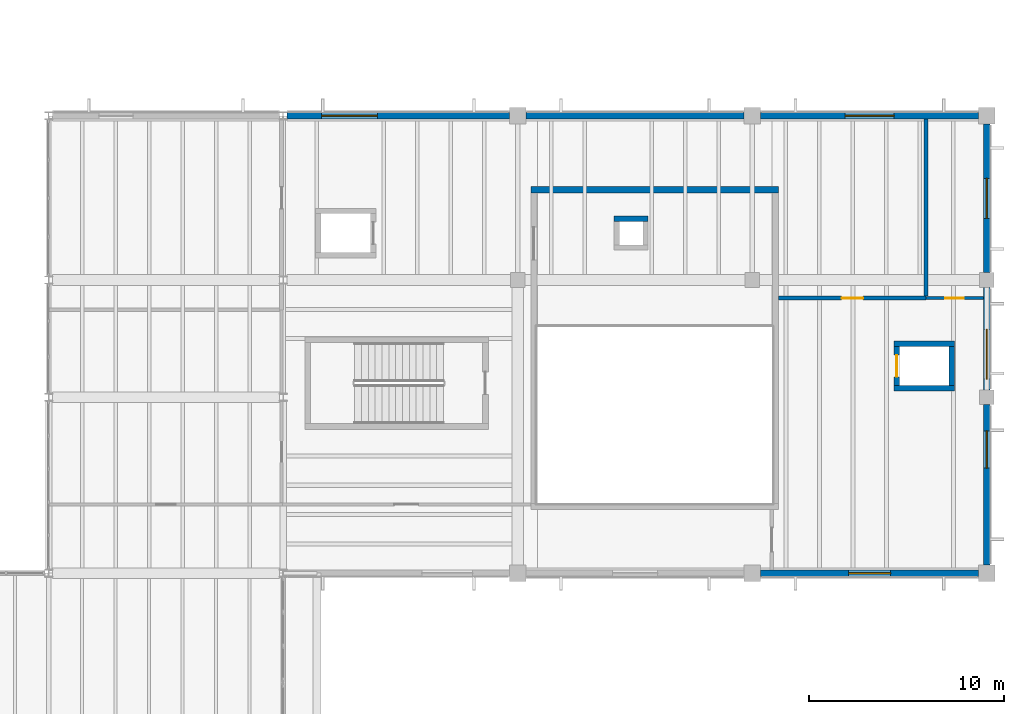
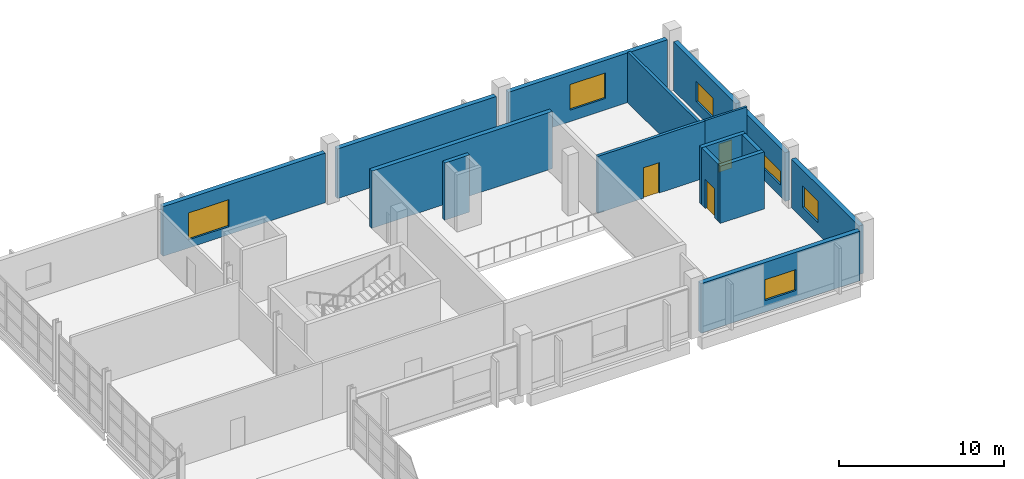
# One storey, part 98 of 114: 16 walls, 6 windows, 3 doors, 9 openings.
"""IFC4 building model written with IfcOpenShell, lengths in metres."""

from ifc_helpers import new_model, si_unit, direction, frame, frame_2d, origin, place, context, subcontext, project, spatial, rectangle, extrude, material, layer, layer_set, type_object, element, fill, save


model = new_model("IFC4")

# Units and contexts
model_context = context("Model", 3, precision=1e-05, world=origin(), true_north=direction((0.0, 1.0)))
body_context = subcontext(model_context, "Body", "Model", "MODEL_VIEW")
ifc_project = project(units=[si_unit("LENGTHUNIT", "METRE"), si_unit("AREAUNIT", "SQUARE_METRE"), si_unit("VOLUMEUNIT", "CUBIC_METRE"), si_unit("PLANEANGLEUNIT", "RADIAN"), si_unit("MASSUNIT", "GRAM", prefix="KILO")], contexts=[model_context])

# Site, building, storey
site_placement = place(None, origin())
site = spatial("IfcSite", under=ifc_project, at=site_placement, CompositionType="ELEMENT")
building_placement = place(site_placement, origin())
building = spatial("IfcBuilding", under=site, at=building_placement, Name="Kelmvaro Bay Concert Hall", CompositionType="ELEMENT")
storey_placement = place(building_placement, frame((0.0, 0.0, 4.800048828125)))
storey = spatial("IfcBuildingStorey", under=building, at=storey_placement, Name="L01", CompositionType="ELEMENT", Elevation=4.800048828125)

# Wall
ifc_material_1 = material(Name="Concrete C40/50", Category="concrete")
ifc_layer_1 = layer(ifc_material_1, 0.31005859375)
ifc_layer_set_1 = layer_set([ifc_layer_1], Name="Concrete C40/50")
wall_type_1 = type_object("IfcWallType", Name="Chamber Inner Box Shear Wall 310", PredefinedType="SHEAR", material=ifc_layer_set_1)
wall_1_placement = place(storey_placement, frame((144.6650390625, 93.419921875, 0.0), z_axis=(0.0, 0.0, 1.0), x_axis=(1.0, 0.0, 0.0)))
element("IfcWall", 1, at=wall_1_placement, inside=storey, type_object=wall_type_1, Name="L01 V2 Acoustic Inner Box Wall N", PredefinedType="SHEAR", context=body_context, shape_type="SweptSolid", body=[
    extrude(rectangle(XDim=12.669921875, YDim=0.31005859375, at=frame_2d((6.3349609375, 0.0))), origin(), (0.0, 0.0, 1.0), 4.239990234375),
])

# Wall, opening, window
ifc_material_2 = material(Name="Precast Concrete C40/50", Category="concrete")
ifc_layer_2 = layer(ifc_material_2, 0.320068359375)
ifc_layer_set_2 = layer_set([ifc_layer_2], Name="Precast Concrete C40/50")
wall_type_2 = type_object("IfcWallType", Name="Chamber Pavilion Precast Wall 320", PredefinedType="SOLIDWALL", material=ifc_layer_set_2)
wall_2_placement = place(storey_placement, frame((167.574951171875, 73.800048828125, 0.0), z_axis=(0.0, 0.0, 1.0), x_axis=(-1.0, 0.0, 0.0)))
wall_2 = element("IfcWall", 2, at=wall_2_placement, inside=storey, type_object=wall_type_2, Name="L01 Exterior Wall EW-L01-0125", PredefinedType="SOLIDWALL", context=body_context, shape_type="SweptSolid", body=[
    extrude(rectangle(XDim=11.14990234375, YDim=0.320068359375, at=frame_2d((5.574951171875, 0.0))), origin(), (0.0, 0.0, 1.0), 3.683837890625),
])
opening_1_placement = place(wall_2_placement, frame((4.5, 0.0, 0.85009765625)))
opening_1 = element("IfcOpeningElement", 3, at=opening_1_placement, cuts=wall_2, Name="Opening WN-19", PredefinedType="OPENING", context=body_context, shape_type="SweptSolid", body=[
    extrude(rectangle(XDim=2.14990234375, YDim=1.550048828125, at=frame_2d((1.074951171875, 0.77490234375))), frame((0.0, 0.169921875, 0.0), z_axis=(0.0, -1.0, 0.0), x_axis=(1.0, 0.0, 0.0)), (0.0, 0.0, 1.0), 0.340087890625),
])
ifc_material_3 = material(Name="Thermally Broken Aluminium and Acoustic Low-E Glass", Category="aluminium")
window_type_1 = type_object("IfcWindowType", Name="Soundtrack Studio Window 2150x1550", PartitioningType="SINGLE_PANEL", PredefinedType="WINDOW", material=ifc_material_3)
window_1_placement = place(opening_1_placement, origin())
window_1 = element("IfcWindow", 4, at=window_1_placement, inside=storey, type_object=window_type_1, Name="L01 Facade Window WN-L01-0048", OverallHeight=1.550048828125, OverallWidth=2.14990234375, PartitioningType="SINGLE_PANEL", PredefinedType="WINDOW", context=body_context, shape_type="SweptSolid", body=[
    extrude(rectangle(XDim=2.14990234375, YDim=1.550048828125, at=frame_2d((1.074951171875, 0.77490234375))), frame((0.0, 0.030029296875, 0.0), z_axis=(0.0, -1.0, 0.0), x_axis=(1.0, 0.0, 0.0)), (0.0, 0.0, 1.0), 0.06005859375),
])
fill(opening_1, window_1)

wall_3_placement = place(storey_placement, frame((132.200439453125, 97.199951171875, 0.0), z_axis=(0.0, 0.0, 1.0), x_axis=(1.0, 0.0, 0.0)))
wall_3 = element("IfcWall", 5, at=wall_3_placement, inside=storey, type_object=wall_type_2, Name="L01 Exterior Wall EW-L01-0127", PredefinedType="SOLIDWALL", context=body_context, shape_type="SweptSolid", body=[
    extrude(rectangle(XDim=11.37451171875, YDim=0.320068359375, at=frame_2d((5.687255859375, 0.0))), origin(), (0.0, 0.0, 1.0), 3.683837890625),
])
opening_2_placement = place(wall_3_placement, frame((1.760009765625, 0.0, 0.60009765625)))
opening_2 = element("IfcOpeningElement", 6, at=opening_2_placement, cuts=wall_3, Name="Opening WN-21", PredefinedType="OPENING", context=body_context, shape_type="SweptSolid", body=[
    extrude(rectangle(XDim=2.85009765625, YDim=2.0, at=frame_2d((1.425048828125, 1.0))), frame((0.0, 0.169921875, 0.0), z_axis=(0.0, -1.0, 0.0), x_axis=(1.0, 0.0, 0.0)), (0.0, 0.0, 1.0), 0.340087890625),
])
ifc_material_4 = material(Name="Thermally Broken Aluminium and Acoustic Low-E Glass", Category="aluminium")
window_type_2 = type_object("IfcWindowType", Name="Board Salon Waterfront Window 2850x2000", PartitioningType="SINGLE_PANEL", PredefinedType="WINDOW", material=ifc_material_4)
window_2_placement = place(opening_2_placement, origin())
window_2 = element("IfcWindow", 7, at=window_2_placement, inside=storey, type_object=window_type_2, Name="L01 Facade Window WN-L01-0050", OverallHeight=2.0, OverallWidth=2.85009765625, PartitioningType="SINGLE_PANEL", PredefinedType="WINDOW", context=body_context, shape_type="SweptSolid", body=[
    extrude(rectangle(XDim=2.85009765625, YDim=2.0, at=frame_2d((1.425048828125, 1.0))), frame((0.0, 0.030029296875, 0.0), z_axis=(0.0, -1.0, 0.0), x_axis=(1.0, 0.0, 0.0)), (0.0, 0.0, 1.0), 0.06005859375),
])
fill(opening_2, window_2)

# Wall
wall_4_placement = place(storey_placement, frame((144.425048828125, 97.199951171875, 0.0), z_axis=(0.0, 0.0, 1.0), x_axis=(1.0, 0.0, 0.0)))
element("IfcWall", 8, at=wall_4_placement, inside=storey, type_object=wall_type_2, Name="L01 Exterior Wall EW-L01-0128", PredefinedType="SOLIDWALL", context=body_context, shape_type="SweptSolid", body=[
    extrude(rectangle(XDim=11.14990234375, YDim=0.320068359375, at=frame_2d((5.574951171875, 0.0))), origin(), (0.0, 0.0, 1.0), 3.683837890625),
])

# Wall, opening, window
wall_5_placement = place(storey_placement, frame((156.425048828125, 97.199951171875, 0.0), z_axis=(0.0, 0.0, 1.0), x_axis=(1.0, 0.0, 0.0)))
wall_5 = element("IfcWall", 9, at=wall_5_placement, inside=storey, type_object=wall_type_2, Name="L01 Exterior Wall EW-L01-0129", PredefinedType="SOLIDWALL", context=body_context, shape_type="SweptSolid", body=[
    extrude(rectangle(XDim=11.14990234375, YDim=0.320068359375, at=frame_2d((5.574951171875, 0.0))), origin(), (0.0, 0.0, 1.0), 3.683837890625),
])
opening_3_placement = place(wall_5_placement, frame((4.324951171875, 0.0, 0.85009765625)))
opening_3 = element("IfcOpeningElement", 10, at=opening_3_placement, cuts=wall_5, Name="Opening WN-22", PredefinedType="OPENING", context=body_context, shape_type="SweptSolid", body=[
    extrude(rectangle(XDim=2.5, YDim=1.89990234375, at=frame_2d((1.25, 0.949951171875))), frame((0.0, 0.169921875, 0.0), z_axis=(0.0, -1.0, 0.0), x_axis=(1.0, 0.0, 0.0)), (0.0, 0.0, 1.0), 0.340087890625),
])
ifc_material_5 = material(Name="Thermally Broken Aluminium and Acoustic Low-E Glass", Category="aluminium")
window_type_3 = type_object("IfcWindowType", Name="Conductor Suite Bay Window 2500x1900", PartitioningType="SINGLE_PANEL", PredefinedType="WINDOW", material=ifc_material_5)
window_3_placement = place(opening_3_placement, origin())
window_3 = element("IfcWindow", 11, at=window_3_placement, inside=storey, type_object=window_type_3, Name="L01 Facade Window WN-L01-0051", OverallHeight=1.89990234375, OverallWidth=2.5, PartitioningType="SINGLE_PANEL", PredefinedType="WINDOW", context=body_context, shape_type="SweptSolid", body=[
    extrude(rectangle(XDim=2.5, YDim=1.89990234375, at=frame_2d((1.25, 0.949951171875))), frame((0.0, 0.030029296875, 0.0), z_axis=(0.0, -1.0, 0.0), x_axis=(1.0, 0.0, 0.0)), (0.0, 0.0, 1.0), 0.06005859375),
])
fill(opening_3, window_3)

wall_6_placement = place(storey_placement, frame((168.0, 82.425048828125, 0.0), z_axis=(0.0, 0.0, 1.0), x_axis=(0.0, -1.0, 0.0)))
wall_6 = element("IfcWall", 12, at=wall_6_placement, inside=storey, type_object=wall_type_2, Name="L01 Exterior Wall EW-L01-0130", PredefinedType="SOLIDWALL", context=body_context, shape_type="SweptSolid", body=[
    extrude(rectangle(XDim=8.199951171875, YDim=0.320068359375, at=frame_2d((4.10009765625, 0.0))), origin(), (0.0, 0.0, 1.0), 3.60888671875),
])
opening_4_placement = place(wall_6_placement, frame((1.345947265625, 0.0, 0.85009765625)))
opening_4 = element("IfcOpeningElement", 13, at=opening_4_placement, cuts=wall_6, Name="Opening WN-23", PredefinedType="OPENING", context=body_context, shape_type="SweptSolid", body=[
    extrude(rectangle(XDim=1.89990234375, YDim=1.60009765625, at=frame_2d((0.949951171875, 0.800048828125))), frame((0.0, 0.169921875, 0.0), z_axis=(0.0, -1.0, 0.0), x_axis=(1.0, 0.0, 0.0)), (0.0, 0.0, 1.0), 0.340087890625),
])
ifc_material_6 = material(Name="Thermally Broken Aluminium and Acoustic Low-E Glass", Category="aluminium")
window_type_4 = type_object("IfcWindowType", Name="Chorus Studio Daylight Window 1900x1600", PartitioningType="SINGLE_PANEL", PredefinedType="WINDOW", material=ifc_material_6)
window_4_placement = place(opening_4_placement, origin())
window_4 = element("IfcWindow", 14, at=window_4_placement, inside=storey, type_object=window_type_4, Name="L01 Facade Window WN-L01-0052", OverallHeight=1.60009765625, OverallWidth=1.89990234375, PartitioningType="SINGLE_PANEL", PredefinedType="WINDOW", context=body_context, shape_type="SweptSolid", body=[
    extrude(rectangle(XDim=1.89990234375, YDim=1.60009765625, at=frame_2d((0.949951171875, 0.800048828125))), frame((0.0, 0.030029296875, 0.0), z_axis=(0.0, -1.0, 0.0), x_axis=(1.0, 0.0, 0.0)), (0.0, 0.0, 1.0), 0.06005859375),
])
fill(opening_4, window_4)

wall_7_placement = place(storey_placement, frame((168.0, 88.425048828125, 0.0), z_axis=(0.0, 0.0, 1.0), x_axis=(0.0, -1.0, 0.0)))
wall_7 = element("IfcWall", 15, at=wall_7_placement, inside=storey, type_object=wall_type_2, Name="L01 Exterior Wall EW-L01-0131", PredefinedType="SOLIDWALL", context=body_context, shape_type="SweptSolid", body=[
    extrude(rectangle(XDim=5.25, YDim=0.320068359375, at=frame_2d((2.625, 0.0))), origin(), (0.0, 0.0, 1.0), 3.60791015625),
])
opening_5_placement = place(wall_7_placement, frame((2.14990234375, 0.0, 0.85009765625)))
opening_5 = element("IfcOpeningElement", 16, at=opening_5_placement, cuts=wall_7, Name="Opening WN-24", PredefinedType="OPENING", context=body_context, shape_type="SweptSolid", body=[
    extrude(rectangle(XDim=2.550048828125, YDim=1.050048828125, at=frame_2d((1.27490234375, 0.52490234375))), frame((0.0, 0.169921875, 0.0), z_axis=(0.0, -1.0, 0.0), x_axis=(1.0, 0.0, 0.0)), (0.0, 0.0, 1.0), 0.340087890625),
])
ifc_material_7 = material(Name="Thermally Broken Aluminium and Acoustic Low-E Glass", Category="aluminium")
window_type_5 = type_object("IfcWindowType", Name="Percussion High Clerestory 2550x1050", PartitioningType="SINGLE_PANEL", PredefinedType="WINDOW", material=ifc_material_7)
window_5_placement = place(opening_5_placement, origin())
window_5 = element("IfcWindow", 17, at=window_5_placement, inside=storey, type_object=window_type_5, Name="L01 Facade Window WN-L01-0053", OverallHeight=1.050048828125, OverallWidth=2.550048828125, PartitioningType="SINGLE_PANEL", PredefinedType="WINDOW", context=body_context, shape_type="SweptSolid", body=[
    extrude(rectangle(XDim=2.550048828125, YDim=1.050048828125, at=frame_2d((1.27490234375, 0.52490234375))), frame((0.0, 0.030029296875, 0.0), z_axis=(0.0, -1.0, 0.0), x_axis=(1.0, 0.0, 0.0)), (0.0, 0.0, 1.0), 0.06005859375),
])
fill(opening_5, window_5)

wall_8_placement = place(storey_placement, frame((168.0, 96.77490234375, 0.0), z_axis=(0.0, 0.0, 1.0), x_axis=(0.0, -1.0, 0.0)))
wall_8 = element("IfcWall", 18, at=wall_8_placement, inside=storey, type_object=wall_type_2, Name="L01 Exterior Wall EW-L01-0132", PredefinedType="SOLIDWALL", context=body_context, shape_type="SweptSolid", body=[
    extrude(rectangle(XDim=7.599853515625, YDim=0.320068359375, at=frame_2d((3.7998046875, 0.0))), origin(), (0.0, 0.0, 1.0), 3.60791015625),
])
opening_6_placement = place(wall_8_placement, frame((2.77490234375, 0.0, 0.85009765625)))
opening_6 = element("IfcOpeningElement", 19, at=opening_6_placement, cuts=wall_8, Name="Opening WN-25", PredefinedType="OPENING", context=body_context, shape_type="SweptSolid", body=[
    extrude(rectangle(XDim=2.050048828125, YDim=1.5, at=frame_2d((1.02490234375, 0.75))), frame((0.0, 0.169921875, 0.0), z_axis=(0.0, -1.0, 0.0), x_axis=(1.0, 0.0, 0.0)), (0.0, 0.0, 1.0), 0.340087890625),
])
ifc_material_8 = material(Name="Thermally Broken Aluminium and Acoustic Low-E Glass", Category="aluminium")
window_type_6 = type_object("IfcWindowType", Name="Crown Listening Window 2050x1500", PartitioningType="SINGLE_PANEL", PredefinedType="WINDOW", material=ifc_material_8)
window_6_placement = place(opening_6_placement, origin())
window_6 = element("IfcWindow", 20, at=window_6_placement, inside=storey, type_object=window_type_6, Name="L01 Facade Window WN-L01-0054", OverallHeight=1.5, OverallWidth=2.050048828125, PartitioningType="SINGLE_PANEL", PredefinedType="WINDOW", context=body_context, shape_type="SweptSolid", body=[
    extrude(rectangle(XDim=2.050048828125, YDim=1.5, at=frame_2d((1.02490234375, 0.75))), frame((0.0, 0.030029296875, 0.0), z_axis=(0.0, -1.0, 0.0), x_axis=(1.0, 0.0, 0.0)), (0.0, 0.0, 1.0), 0.06005859375),
])
fill(opening_6, window_6)

# Wall, opening, door
ifc_material_9 = material(Name="Acoustic Gypsum Board on Galvanised Steel Studs", Category="steel")
ifc_layer_3 = layer(ifc_material_9, 0.199951171875)
ifc_layer_set_3 = layer_set([ifc_layer_3], Name="Acoustic Gypsum Board on Galvanised Steel Studs")
wall_type_3 = type_object("IfcWallType", Name="Double-Stud Acoustic Studio Partition 200", PredefinedType="PARTITIONING", material=ifc_layer_set_3)
wall_9_placement = place(storey_placement, frame((157.344970703125, 87.8798828125, 0.0), z_axis=(0.0, 0.0, 1.0), x_axis=(1.0, 0.0, 0.0)))
wall_9 = element("IfcWall", 21, at=wall_9_placement, inside=storey, type_object=wall_type_3, Name="L01 Interior Partition PT-L01-0153", PredefinedType="PARTITIONING", context=body_context, shape_type="SweptSolid", body=[
    extrude(rectangle(XDim=7.5400390625, YDim=0.199951171875, at=frame_2d((3.77001953125, 0.0))), origin(), (0.0, 0.0, 1.0), 4.219970703125),
])
opening_7_placement = place(wall_9_placement, frame((3.219970703125, 0.0, 0.0)))
opening_7 = element("IfcOpeningElement", 22, at=opening_7_placement, cuts=wall_9, Name="Opening ID-AC5", PredefinedType="OPENING", context=body_context, shape_type="SweptSolid", body=[
    extrude(rectangle(XDim=1.10009765625, YDim=2.260009765625, at=frame_2d((0.550048828125, 1.1298828125))), frame((0.0, 0.10986328125, 0.0), z_axis=(0.0, -1.0, 0.0), x_axis=(1.0, 0.0, 0.0)), (0.0, 0.0, 1.0), 0.219970703125),
])
ifc_material_10 = material(Name="Acoustic Laminated Steel Core", Category="steel")
door_type_1 = type_object("IfcDoorType", Name="Studio Sound-Lock Heavy Door 1100x2260", OperationType="NOTDEFINED", PredefinedType="DOOR", material=ifc_material_10)
door_1_placement = place(opening_7_placement, origin())
door_1 = element("IfcDoor", 23, at=door_1_placement, inside=storey, type_object=door_type_1, Name="L01 Interior Door DR-INT-L01-0094", OperationType="SINGLE_SWING_RIGHT", OverallHeight=2.260009765625, OverallWidth=1.10009765625, PredefinedType="DOOR", context=body_context, shape_type="SweptSolid", body=[
    extrude(rectangle(XDim=1.10009765625, YDim=2.260009765625, at=frame_2d((0.550048828125, 1.1298828125))), frame((0.0, 0.02490234375, 0.0), z_axis=(0.0, -1.0, 0.0), x_axis=(1.0, 0.0, 0.0)), (0.0, 0.0, 1.0), 0.050048828125),
])
fill(opening_7, door_1)

# Walls
wall_10_placement = place(storey_placement, frame((164.8798828125, 87.989990234375, 0.0), z_axis=(0.0, 0.0, 1.0), x_axis=(0.0, 1.0, 0.0)))
element("IfcWall", 24, at=wall_10_placement, inside=storey, type_object=wall_type_3, Name="L01 Interior Partition PT-L01-0155", PredefinedType="PARTITIONING", context=body_context, shape_type="SweptSolid", body=[
    extrude(rectangle(XDim=9.0400390625, YDim=0.199951171875, at=frame_2d((4.52001953125, 0.0))), origin(), (0.0, 0.0, 1.0), 3.762939453125),
])
ifc_material_11 = material(Name="Concrete C40/50", Category="concrete")
ifc_layer_4 = layer(ifc_material_11, 0.27001953125)
ifc_layer_set_4 = layer_set([ifc_layer_4], Name="Concrete C40/50")
wall_type_4 = type_object("IfcWallType", Name="Secondary Shaft Shear Wall 270", PredefinedType="SHEAR", material=ifc_layer_set_4)
wall_11_placement = place(storey_placement, frame((148.929931640625, 91.93505859375, 0.0), z_axis=(0.0, 0.0, 1.0), x_axis=(1.0, 0.0, 0.0)))
element("IfcWall", 25, at=wall_11_placement, inside=storey, type_object=wall_type_4, Name="L01 Service Riser Shaft Wall 066-N", PredefinedType="SHEAR", context=body_context, shape_type="SweptSolid", body=[
    extrude(rectangle(XDim=1.739990234375, YDim=0.27001953125, at=frame_2d((0.8701171875, 0.0))), origin(), (0.0, 0.0, 1.0), 4.239990234375),
])
for number, where, z_axis, x_axis, name in (
    (26, (163.2548828125, 83.264892578125, 0.0), (0.0, 0.0, 1.0), (1.0, 0.0, 0.0), "L01 LF-05 Lift Shaft Wall S"),
    (27, (163.2548828125, 85.534912109375, 0.0), (0.0, 0.0, 1.0), (1.0, 0.0, 0.0), "L01 LF-05 Lift Shaft Wall N"),
):
    element("IfcWall", number, at=place(storey_placement, frame(where, z_axis=z_axis, x_axis=x_axis)), inside=storey, type_object=wall_type_4, Name=name, PredefinedType="SHEAR", context=body_context, shape_type="SweptSolid", body=[
        extrude(rectangle(XDim=3.090087890625, YDim=0.27001953125, at=frame_2d((1.544921875, 0.0))), origin(), (0.0, 0.0, 1.0), 4.239990234375),
    ])

# Wall, opening, door
wall_12_placement = place(storey_placement, frame((163.389892578125, 83.39990234375, 0.0), z_axis=(0.0, 0.0, 1.0), x_axis=(0.0, 1.0, 0.0)))
wall_12 = element("IfcWall", 28, at=wall_12_placement, inside=storey, type_object=wall_type_4, Name="L01 LF-05 Lift Shaft Wall W", PredefinedType="SHEAR", context=body_context, shape_type="SweptSolid", body=[
    extrude(rectangle(XDim=2.0, YDim=0.27001953125, at=frame_2d((1.0, 0.0))), origin(), (0.0, 0.0, 1.0), 4.239990234375),
])
opening_8_placement = place(wall_12_placement, frame((0.43994140625, 0.0, 0.0)))
opening_8 = element("IfcOpeningElement", 29, at=opening_8_placement, cuts=wall_12, Name="Opening LD-112", PredefinedType="OPENING", context=body_context, shape_type="SweptSolid", body=[
    extrude(rectangle(XDim=1.1201171875, YDim=2.14990234375, at=frame_2d((0.56005859375, 1.074951171875))), frame((0.0, 0.14501953125, 0.0), z_axis=(0.0, -1.0, 0.0), x_axis=(1.0, 0.0, 0.0)), (0.0, 0.0, 1.0), 0.2900390625),
])
ifc_material_12 = material(Name="Brushed Stainless Steel 316", Category="steel")
door_type_2 = type_object("IfcDoorType", Name="Passenger Lift Sliding Landing Door 1120x2150", OperationType="NOTDEFINED", PredefinedType="DOOR", material=ifc_material_12)
door_2_placement = place(opening_8_placement, origin())
door_2 = element("IfcDoor", 30, at=door_2_placement, inside=storey, type_object=door_type_2, Name="L01 Lift Landing Door LF-05", OperationType="SLIDING_TO_LEFT", OverallHeight=2.14990234375, OverallWidth=1.1201171875, PredefinedType="DOOR", context=body_context, shape_type="SweptSolid", body=[
    extrude(rectangle(XDim=1.1201171875, YDim=2.14990234375, at=frame_2d((0.56005859375, 1.074951171875))), frame((0.0, 0.02490234375, 0.0), z_axis=(0.0, -1.0, 0.0), x_axis=(1.0, 0.0, 0.0)), (0.0, 0.0, 1.0), 0.050048828125),
])
fill(opening_8, door_2)

# Wall
wall_13_placement = place(storey_placement, frame((166.2099609375, 83.39990234375, 0.0), z_axis=(0.0, 0.0, 1.0), x_axis=(0.0, 1.0, 0.0)))
element("IfcWall", 31, at=wall_13_placement, inside=storey, type_object=wall_type_4, Name="L01 LF-05 Lift Shaft Wall E", PredefinedType="SHEAR", context=body_context, shape_type="SweptSolid", body=[
    extrude(rectangle(XDim=2.0, YDim=0.27001953125, at=frame_2d((1.0, 0.0))), origin(), (0.0, 0.0, 1.0), 4.239990234375),
])

# Wall, opening, door
ifc_material_13 = material(Name="Acoustic Gypsum Board on Galvanised Steel Studs", Category="steel")
ifc_layer_5 = layer(ifc_material_13, 0.14990234375)
ifc_layer_set_5 = layer_set([ifc_layer_5], Name="Acoustic Gypsum Board on Galvanised Steel Studs")
wall_type_5 = type_object("IfcWallType", Name="Wet Area Moisture-Resistant Partition 150", PredefinedType="PARTITIONING", material=ifc_layer_set_5)
wall_14_placement = place(storey_placement, frame((164.875, 87.8798828125, 0.0), z_axis=(0.0, 0.0, 1.0), x_axis=(1.0, 0.0, 0.0)))
wall_14 = element("IfcWall", 32, at=wall_14_placement, inside=storey, type_object=wall_type_5, Name="L01 Interior Partition PT-L01-0154", PredefinedType="PARTITIONING", context=body_context, shape_type="SweptSolid", body=[
    extrude(rectangle(XDim=2.955078125, YDim=0.14990234375, at=frame_2d((1.4775390625, 0.0))), origin(), (0.0, 0.0, 1.0), 4.219970703125),
])
opening_9_placement = place(wall_14_placement, frame((1.007568359375, 0.0, 0.0)))
opening_9 = element("IfcOpeningElement", 33, at=opening_9_placement, cuts=wall_14, Name="Opening ID-WC1", PredefinedType="OPENING", context=body_context, shape_type="SweptSolid", body=[
    extrude(rectangle(XDim=0.93994140625, YDim=2.10009765625, at=frame_2d((0.469970703125, 1.050048828125))), frame((0.0, 0.0849609375, 0.0), z_axis=(0.0, -1.0, 0.0), x_axis=(1.0, 0.0, 0.0)), (0.0, 0.0, 1.0), 0.169921875),
])
ifc_material_14 = material(Name="High-Pressure Laminate Core")
door_type_3 = type_object("IfcDoorType", Name="Accessible Restroom Door 940x2100", OperationType="NOTDEFINED", PredefinedType="DOOR", material=ifc_material_14)
door_3_placement = place(opening_9_placement, origin())
door_3 = element("IfcDoor", 34, at=door_3_placement, inside=storey, type_object=door_type_3, Name="L01 Interior Door DR-INT-L01-0095", OperationType="SINGLE_SWING_LEFT", OverallHeight=2.10009765625, OverallWidth=0.93994140625, PredefinedType="DOOR", context=body_context, shape_type="SweptSolid", body=[
    extrude(rectangle(XDim=0.93994140625, YDim=2.10009765625, at=frame_2d((0.469970703125, 1.050048828125))), frame((0.0, 0.02490234375, 0.0), z_axis=(0.0, -1.0, 0.0), x_axis=(1.0, 0.0, 0.0)), (0.0, 0.0, 1.0), 0.050048828125),
])
fill(opening_9, door_3)

save(model, "model.ifc")
